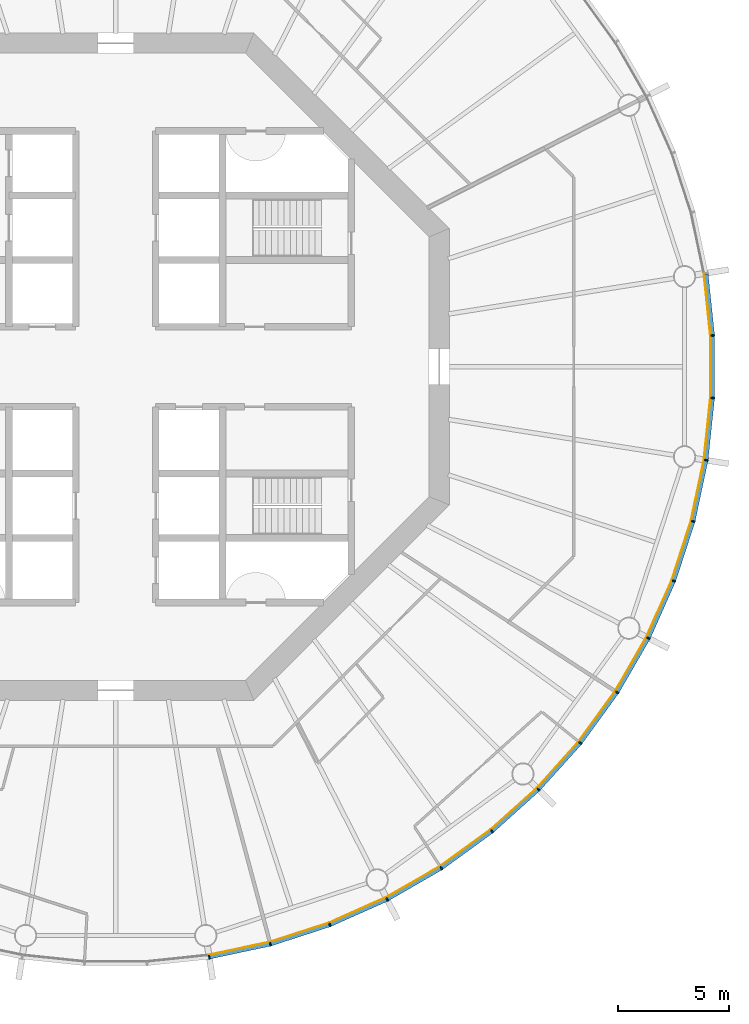
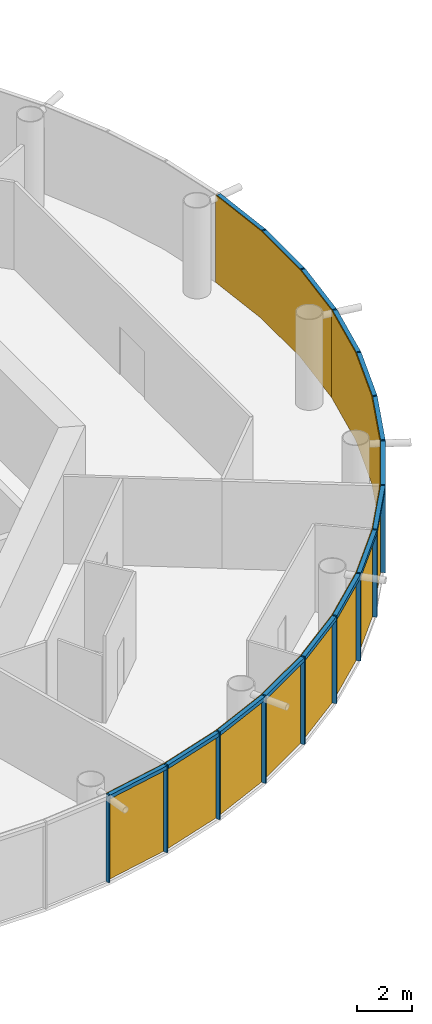
# One storey, part 9 of 13: 30 members, 5 curtain walls.
"""IFC4 building model written with IfcOpenShell, lengths in metres."""

from ifc_helpers import new_model, si_unit, direction, frame, origin, origin_2d, place, context, subcontext, project, spatial, polyline, rectangle, outline, extrude, material, layer, layer_set, material_profile, profile_set, type_object, element, aggregate, save


model = new_model("IFC4")

# Units and contexts
model_context = context("Model", 3, precision=1e-05, world=origin(), true_north=direction((0.0, 1.0)))
body_context = subcontext(model_context, "Body", "Model", "MODEL_VIEW")
ifc_project = project(units=[si_unit("LENGTHUNIT", "METRE"), si_unit("AREAUNIT", "SQUARE_METRE"), si_unit("VOLUMEUNIT", "CUBIC_METRE"), si_unit("PLANEANGLEUNIT", "RADIAN"), si_unit("MASSUNIT", "GRAM", prefix="KILO")], contexts=[model_context])

# Member
ifc_material_1 = material(Name="Anodised aluminium", Category="aluminium")
ifc_material_profile_1 = material_profile(ifc_material_1, rectangle(XDim=0.06005859375, YDim=0.169921875, at=origin_2d()), Name="Mullion 60 x 170 mm anodised aluminium")
ifc_profile_set_1 = profile_set([ifc_material_profile_1], Name="Anodised aluminium")
member_type_1 = type_object("IfcMemberType", Name="Mullion 60 x 170 mm anodised aluminium", PredefinedType="MULLION", material=ifc_profile_set_1)
site_placement = place(None, origin())
building_placement = place(site_placement, origin())
storey_placement = place(building_placement, frame((0.0, 0.0, 226.0)))
member_1_placement = place(storey_placement, frame((94.205810546875, 53.446044921875, 0.0), z_axis=(0.0, 0.0, 1.0), x_axis=(0.987688340595, 0.15643446504, 0.0)))
member_1 = element("IfcMember", 1, at=member_1_placement, type_object=member_type_1, Name="MULLION L52-45", PredefinedType="MULLION", context=body_context, shape_type="SweptSolid", body=[
    extrude(rectangle(XDim=0.06005859375, YDim=0.169921875, at=origin_2d()), origin(), (0.0, 0.0, 1.0), 3.85009765625),
])

member_2_placement = place(storey_placement, frame((96.958251953125, 54.031005859375, 0.0), z_axis=(0.0, 0.0, 1.0), x_axis=(0.965925826289, 0.258819045103, 0.0)))
member_2 = element("IfcMember", 2, at=member_2_placement, type_object=member_type_1, Name="MULLION L52-46", PredefinedType="MULLION", context=body_context, shape_type="SweptSolid", body=[
    extrude(rectangle(XDim=0.06005859375, YDim=0.169921875, at=origin_2d()), origin(), (0.0, 0.0, 1.0), 3.85009765625),
])

member_3_placement = place(storey_placement, frame((99.634765625, 54.900634765625, 0.0), z_axis=(0.0, 0.0, 1.0), x_axis=(0.933580426497, 0.358367949545, 0.0)))
member_3 = element("IfcMember", 3, at=member_3_placement, type_object=member_type_1, Name="MULLION L52-47", PredefinedType="MULLION", context=body_context, shape_type="SweptSolid", body=[
    extrude(rectangle(XDim=0.06005859375, YDim=0.169921875, at=origin_2d()), origin(), (0.0, 0.0, 1.0), 3.85009765625),
])

member_4_placement = place(storey_placement, frame((102.20556640625, 56.04541015625, 0.0), z_axis=(0.0, 0.0, 1.0), x_axis=(0.891006524188, 0.45399049974, 0.0)))
member_4 = element("IfcMember", 4, at=member_4_placement, type_object=member_type_1, Name="MULLION L52-48", PredefinedType="MULLION", context=body_context, shape_type="SweptSolid", body=[
    extrude(rectangle(XDim=0.06005859375, YDim=0.169921875, at=origin_2d()), origin(), (0.0, 0.0, 1.0), 3.85009765625),
])

member_5_placement = place(storey_placement, frame((104.642578125, 57.452392578125, 0.0), z_axis=(0.0, 0.0, 1.0), x_axis=(0.838670567945, 0.544639035015, 0.0)))
member_5 = element("IfcMember", 5, at=member_5_placement, type_object=member_type_1, Name="MULLION L52-49", PredefinedType="MULLION", context=body_context, shape_type="SweptSolid", body=[
    extrude(rectangle(XDim=0.06005859375, YDim=0.169921875, at=origin_2d()), origin(), (0.0, 0.0, 1.0), 3.85009765625),
])

member_6_placement = place(storey_placement, frame((106.919189453125, 59.1064453125, 0.0), z_axis=(0.0, 0.0, 1.0), x_axis=(0.777145961457, 0.62932039105, 0.0)))
member_6 = element("IfcMember", 6, at=member_6_placement, type_object=member_type_1, Name="MULLION L52-50", PredefinedType="MULLION", context=body_context, shape_type="SweptSolid", body=[
    extrude(rectangle(XDim=0.06005859375, YDim=0.169921875, at=origin_2d()), origin(), (0.0, 0.0, 1.0), 3.85009765625),
])

member_7_placement = place(storey_placement, frame((109.010498046875, 60.989501953125, 0.0), z_axis=(0.0, 0.0, 1.0), x_axis=(0.707106781187, 0.707106781187, 0.0)))
member_7 = element("IfcMember", 7, at=member_7_placement, type_object=member_type_1, Name="MULLION L52-51", PredefinedType="MULLION", context=body_context, shape_type="SweptSolid", body=[
    extrude(rectangle(XDim=0.06005859375, YDim=0.169921875, at=origin_2d()), origin(), (0.0, 0.0, 1.0), 3.85009765625),
])

member_8_placement = place(storey_placement, frame((110.8935546875, 63.080810546875, 0.0), z_axis=(0.0, 0.0, 1.0), x_axis=(0.62932039105, 0.777145961457, 0.0)))
member_8 = element("IfcMember", 8, at=member_8_placement, type_object=member_type_1, Name="MULLION L52-52", PredefinedType="MULLION", context=body_context, shape_type="SweptSolid", body=[
    extrude(rectangle(XDim=0.06005859375, YDim=0.169921875, at=origin_2d()), origin(), (0.0, 0.0, 1.0), 3.85009765625),
])

member_9_placement = place(storey_placement, frame((112.547607421875, 65.357421875, 0.0), z_axis=(0.0, 0.0, 1.0), x_axis=(0.544639035015, 0.838670567945, 0.0)))
member_9 = element("IfcMember", 9, at=member_9_placement, type_object=member_type_1, Name="MULLION L52-53", PredefinedType="MULLION", context=body_context, shape_type="SweptSolid", body=[
    extrude(rectangle(XDim=0.06005859375, YDim=0.169921875, at=origin_2d()), origin(), (0.0, 0.0, 1.0), 3.85009765625),
])

member_10_placement = place(storey_placement, frame((113.95458984375, 67.79443359375, 0.0), z_axis=(0.0, 0.0, 1.0), x_axis=(0.45399049974, 0.891006524188, 0.0)))
member_10 = element("IfcMember", 10, at=member_10_placement, type_object=member_type_1, Name="MULLION L52-54", PredefinedType="MULLION", context=body_context, shape_type="SweptSolid", body=[
    extrude(rectangle(XDim=0.06005859375, YDim=0.169921875, at=origin_2d()), origin(), (0.0, 0.0, 1.0), 3.85009765625),
])

member_11_placement = place(storey_placement, frame((115.099365234375, 70.365234375, 0.0), z_axis=(0.0, 0.0, 1.0), x_axis=(0.358367949545, 0.933580426497, 0.0)))
member_11 = element("IfcMember", 11, at=member_11_placement, type_object=member_type_1, Name="MULLION L52-55", PredefinedType="MULLION", context=body_context, shape_type="SweptSolid", body=[
    extrude(rectangle(XDim=0.06005859375, YDim=0.169921875, at=origin_2d()), origin(), (0.0, 0.0, 1.0), 3.85009765625),
])

member_12_placement = place(storey_placement, frame((115.968994140625, 73.041748046875, 0.0), z_axis=(0.0, 0.0, 1.0), x_axis=(0.258819045103, 0.965925826289, 0.0)))
member_12 = element("IfcMember", 12, at=member_12_placement, type_object=member_type_1, Name="MULLION L52-56", PredefinedType="MULLION", context=body_context, shape_type="SweptSolid", body=[
    extrude(rectangle(XDim=0.06005859375, YDim=0.169921875, at=origin_2d()), origin(), (0.0, 0.0, 1.0), 3.85009765625),
])

member_13_placement = place(storey_placement, frame((116.553955078125, 75.794189453125, 0.0), z_axis=(0.0, 0.0, 1.0), x_axis=(0.15643446504, 0.987688340595, 0.0)))
member_13 = element("IfcMember", 13, at=member_13_placement, type_object=member_type_1, Name="MULLION L52-57", PredefinedType="MULLION", context=body_context, shape_type="SweptSolid", body=[
    extrude(rectangle(XDim=0.06005859375, YDim=0.169921875, at=origin_2d()), origin(), (0.0, 0.0, 1.0), 3.85009765625),
])

member_14_placement = place(storey_placement, frame((116.84814453125, 78.593017578125, 0.0), z_axis=(0.0, 0.0, 1.0), x_axis=(0.052335956243, 0.998629534755, 0.0)))
member_14 = element("IfcMember", 14, at=member_14_placement, type_object=member_type_1, Name="MULLION L52-58", PredefinedType="MULLION", context=body_context, shape_type="SweptSolid", body=[
    extrude(rectangle(XDim=0.06005859375, YDim=0.169921875, at=origin_2d()), origin(), (0.0, 0.0, 1.0), 3.85009765625),
])

member_15_placement = place(storey_placement, frame((116.84814453125, 81.406982421875, 0.0), z_axis=(0.0, 0.0, 1.0), x_axis=(-0.052335956243, 0.998629534755, 0.0)))
member_15 = element("IfcMember", 15, at=member_15_placement, type_object=member_type_1, Name="MULLION L52-59", PredefinedType="MULLION", context=body_context, shape_type="SweptSolid", body=[
    extrude(rectangle(XDim=0.06005859375, YDim=0.169921875, at=origin_2d()), origin(), (0.0, 0.0, 1.0), 3.85009765625),
])

ifc_material_2 = material(Name="Anodised aluminium", Category="aluminium")
ifc_material_profile_2 = material_profile(ifc_material_2, rectangle(XDim=0.169921875, YDim=0.1650390625, at=origin_2d()), Name="Transom 165 x 170 mm anodised aluminium")
ifc_profile_set_2 = profile_set([ifc_material_profile_2], Name="Anodised aluminium")
member_type_2 = type_object("IfcMemberType", Name="Transom 165 x 170 mm anodised aluminium", PredefinedType="USERDEFINED", material=ifc_profile_set_2)
member_16_placement = place(storey_placement, frame((94.239501953125, 53.453125, 3.767578125), z_axis=(0.97814212115, 0.207937468562, 0.0), x_axis=(-0.207937468562, 0.97814212115, 0.0)))
member_16 = element("IfcMember", 16, at=member_16_placement, type_object=member_type_2, Name="TRANSOM L52-45", ObjectType="TRANSOM", PredefinedType="USERDEFINED", context=body_context, shape_type="SweptSolid", body=[
    extrude(rectangle(XDim=0.169921875, YDim=0.1650390625, at=origin_2d()), origin(), (0.0, 0.0, 1.0), 2.7451171875),
])

member_17_placement = place(storey_placement, frame((96.9912109375, 54.04150390625, 3.767578125), z_axis=(0.951048445774, 0.309041831781, 0.0), x_axis=(-0.309041831781, 0.951048445774, 0.0)))
member_17 = element("IfcMember", 17, at=member_17_placement, type_object=member_type_2, Name="TRANSOM L52-46", ObjectType="TRANSOM", PredefinedType="USERDEFINED", context=body_context, shape_type="SweptSolid", body=[
    extrude(rectangle(XDim=0.169921875, YDim=0.1650390625, at=origin_2d()), origin(), (0.0, 0.0, 1.0), 2.7451171875),
])

member_18_placement = place(storey_placement, frame((99.666259765625, 54.91455078125, 3.767578125), z_axis=(0.913525267704, 0.406781987391, 0.0), x_axis=(-0.406781987391, 0.913525267704, 0.0)))
member_18 = element("IfcMember", 18, at=member_18_placement, type_object=member_type_2, Name="TRANSOM L52-47", ObjectType="TRANSOM", PredefinedType="USERDEFINED", context=body_context, shape_type="SweptSolid", body=[
    extrude(rectangle(XDim=0.169921875, YDim=0.1650390625, at=origin_2d()), origin(), (0.0, 0.0, 1.0), 2.7451171875),
])

member_19_placement = place(storey_placement, frame((102.2353515625, 56.0625, 3.767578125), z_axis=(0.866034527326, 0.49998419723, 0.0), x_axis=(-0.49998419723, 0.866034527326, 0.0)))
member_19 = element("IfcMember", 19, at=member_19_placement, type_object=member_type_2, Name="TRANSOM L52-48", ObjectType="TRANSOM", PredefinedType="USERDEFINED", context=body_context, shape_type="SweptSolid", body=[
    extrude(rectangle(XDim=0.169921875, YDim=0.1650390625, at=origin_2d()), origin(), (0.0, 0.0, 1.0), 2.7451171875),
])

member_20_placement = place(storey_placement, frame((104.670654296875, 57.472412109375, 3.767578125), z_axis=(0.808959086484, 0.587864947412, 0.0), x_axis=(-0.587864947412, 0.808959086484, 0.0)))
member_20 = element("IfcMember", 20, at=member_20_placement, type_object=member_type_2, Name="TRANSOM L52-49", ObjectType="TRANSOM", PredefinedType="USERDEFINED", context=body_context, shape_type="SweptSolid", body=[
    extrude(rectangle(XDim=0.169921875, YDim=0.1650390625, at=origin_2d()), origin(), (0.0, 0.0, 1.0), 2.7451171875),
])

member_21_placement = place(storey_placement, frame((106.945068359375, 59.12939453125, 3.767578125), z_axis=(0.743134927907, 0.669141598561, 0.0), x_axis=(-0.669141598561, 0.743134927907, 0.0)))
member_21 = element("IfcMember", 21, at=member_21_placement, type_object=member_type_2, Name="TRANSOM L52-50", ObjectType="TRANSOM", PredefinedType="USERDEFINED", context=body_context, shape_type="SweptSolid", body=[
    extrude(rectangle(XDim=0.169921875, YDim=0.1650390625, at=origin_2d()), origin(), (0.0, 0.0, 1.0), 2.7451171875),
])

member_22_placement = place(storey_placement, frame((109.03369140625, 61.014892578125, 3.767578125), z_axis=(0.669141598561, 0.743134927907, 0.0), x_axis=(-0.743134927907, 0.669141598561, 0.0)))
member_22 = element("IfcMember", 22, at=member_22_placement, type_object=member_type_2, Name="TRANSOM L52-51", ObjectType="TRANSOM", PredefinedType="USERDEFINED", context=body_context, shape_type="SweptSolid", body=[
    extrude(rectangle(XDim=0.169921875, YDim=0.1650390625, at=origin_2d()), origin(), (0.0, 0.0, 1.0), 2.7451171875),
])

member_23_placement = place(storey_placement, frame((110.913818359375, 63.108642578125, 3.767578125), z_axis=(0.587864947412, 0.808959086484, 0.0), x_axis=(-0.808959086484, 0.587864947412, 0.0)))
member_23 = element("IfcMember", 23, at=member_23_placement, type_object=member_type_2, Name="TRANSOM L52-52", ObjectType="TRANSOM", PredefinedType="USERDEFINED", context=body_context, shape_type="SweptSolid", body=[
    extrude(rectangle(XDim=0.169921875, YDim=0.1650390625, at=origin_2d()), origin(), (0.0, 0.0, 1.0), 2.7451171875),
])

member_24_placement = place(storey_placement, frame((112.56494140625, 65.38720703125, 3.767578125), z_axis=(0.49998419723, 0.866034527326, 0.0), x_axis=(-0.866034527326, 0.49998419723, 0.0)))
member_24 = element("IfcMember", 24, at=member_24_placement, type_object=member_type_2, Name="TRANSOM L52-53", ObjectType="TRANSOM", PredefinedType="USERDEFINED", context=body_context, shape_type="SweptSolid", body=[
    extrude(rectangle(XDim=0.169921875, YDim=0.1650390625, at=origin_2d()), origin(), (0.0, 0.0, 1.0), 2.7451171875),
])

member_25_placement = place(storey_placement, frame((113.96875, 67.825927734375, 3.767578125), z_axis=(0.406781987391, 0.913525267704, 0.0), x_axis=(-0.913525267704, 0.406781987391, 0.0)))
member_25 = element("IfcMember", 25, at=member_25_placement, type_object=member_type_2, Name="TRANSOM L52-54", ObjectType="TRANSOM", PredefinedType="USERDEFINED", context=body_context, shape_type="SweptSolid", body=[
    extrude(rectangle(XDim=0.169921875, YDim=0.1650390625, at=origin_2d()), origin(), (0.0, 0.0, 1.0), 2.7451171875),
])

member_26_placement = place(storey_placement, frame((115.110107421875, 70.39794921875, 3.767578125), z_axis=(0.309041831781, 0.951048445774, 0.0), x_axis=(-0.951048445774, 0.309041831781, 0.0)))
member_26 = element("IfcMember", 26, at=member_26_placement, type_object=member_type_2, Name="TRANSOM L52-55", ObjectType="TRANSOM", PredefinedType="USERDEFINED", context=body_context, shape_type="SweptSolid", body=[
    extrude(rectangle(XDim=0.169921875, YDim=0.1650390625, at=origin_2d()), origin(), (0.0, 0.0, 1.0), 2.7451171875),
])

member_27_placement = place(storey_placement, frame((115.97607421875, 73.075439453125, 3.767578125), z_axis=(0.207937468562, 0.97814212115, 0.0), x_axis=(-0.97814212115, 0.207937468562, 0.0)))
member_27 = element("IfcMember", 27, at=member_27_placement, type_object=member_type_2, Name="TRANSOM L52-56", ObjectType="TRANSOM", PredefinedType="USERDEFINED", context=body_context, shape_type="SweptSolid", body=[
    extrude(rectangle(XDim=0.169921875, YDim=0.1650390625, at=origin_2d()), origin(), (0.0, 0.0, 1.0), 2.7451171875),
])

member_28_placement = place(storey_placement, frame((116.5576171875, 75.82861328125, 3.767578125), z_axis=(0.104592190102, 0.994515195344, 0.0), x_axis=(-0.994515195344, 0.104592190102, 0.0)))
member_28 = element("IfcMember", 28, at=member_28_placement, type_object=member_type_2, Name="TRANSOM L52-57", ObjectType="TRANSOM", PredefinedType="USERDEFINED", context=body_context, shape_type="SweptSolid", body=[
    extrude(rectangle(XDim=0.169921875, YDim=0.1650390625, at=origin_2d()), origin(), (0.0, 0.0, 1.0), 2.7451171875),
])

member_29_placement = place(storey_placement, frame((116.848388671875, 78.62744140625, 3.767578125), z_axis=(0.0, 1.0, 0.0), x_axis=(-1.0, 0.0, 0.0)))
member_29 = element("IfcMember", 29, at=member_29_placement, type_object=member_type_2, Name="TRANSOM L52-58", ObjectType="TRANSOM", PredefinedType="USERDEFINED", context=body_context, shape_type="SweptSolid", body=[
    extrude(rectangle(XDim=0.169921875, YDim=0.1650390625, at=origin_2d()), origin(), (0.0, 0.0, 1.0), 2.7451171875),
])

member_30_placement = place(storey_placement, frame((116.8447265625, 81.44140625, 3.767578125), z_axis=(-0.104592190102, 0.994515195344, 0.0), x_axis=(-0.994515195344, -0.104592190102, 0.0)))
member_30 = element("IfcMember", 30, at=member_30_placement, type_object=member_type_2, Name="TRANSOM L52-59", ObjectType="TRANSOM", PredefinedType="USERDEFINED", context=body_context, shape_type="SweptSolid", body=[
    extrude(rectangle(XDim=0.169921875, YDim=0.1650390625, at=origin_2d()), origin(), (0.0, 0.0, 1.0), 2.7451171875),
])

# Site, building, storey
site = spatial("IfcSite", under=ifc_project, at=site_placement, CompositionType="ELEMENT")
building = spatial("IfcBuilding", under=site, at=building_placement, Name="Entoto Ring Tower", CompositionType="ELEMENT")
storey = spatial("IfcBuildingStorey", under=building, at=storey_placement, Name="L52", CompositionType="ELEMENT", Elevation=226.0)

# Curtain wall
ifc_material_3 = material(Name="Clear low-iron glass", Category="glass")
ifc_layer = layer(ifc_material_3, 0.031982421875)
ifc_layer_set = layer_set([ifc_layer], Name="Clear low-iron glass")
curtain_wall_type = type_object("IfcCurtainWallType", Name="Curtain wall system CW4 glazing 32 mm", PredefinedType="NOTDEFINED", material=ifc_layer_set)
curtain_wall_1_placement = place(storey_placement, origin())
curtain_wall_1 = element("IfcCurtainWall", 31, at=curtain_wall_1_placement, inside=storey, type_object=curtain_wall_type, Name="CW4 L52-16", PredefinedType="NOTDEFINED", context=body_context, shape_type="SweptSolid", body=[
    extrude(outline(polyline([(94.1923828125, 53.530029296875), (96.936279296875, 54.11328125), (99.604248046875, 54.97998046875), (102.1669921875, 56.12109375), (102.15234375, 56.149658203125), (99.5927734375, 55.010009765625), (96.927978515625, 54.14404296875), (94.1875, 53.5615234375), (94.1923828125, 53.530029296875)])), origin(), (0.0, 0.0, 1.0), 3.85009765625),
])

aggregate(curtain_wall_1, [member_1, member_2, member_3, member_16, member_17, member_18])

curtain_wall_2_placement = place(storey_placement, origin())
curtain_wall_2 = element("IfcCurtainWall", 32, at=curtain_wall_2_placement, inside=storey, type_object=curtain_wall_type, Name="CW4 L52-17", PredefinedType="NOTDEFINED", context=body_context, shape_type="SweptSolid", body=[
    extrude(outline(polyline([(102.1669921875, 56.12109375), (104.596435546875, 57.523681640625), (106.86572265625, 59.172607421875), (108.950439453125, 61.049560546875), (108.927734375, 61.072265625), (106.845703125, 59.197509765625), (104.578857421875, 57.550537109375), (102.15234375, 56.149658203125), (102.1669921875, 56.12109375)])), origin(), (0.0, 0.0, 1.0), 3.85009765625),
])

aggregate(curtain_wall_2, [member_4, member_5, member_6, member_19, member_20, member_21])

curtain_wall_3_placement = place(storey_placement, origin())
curtain_wall_3 = element("IfcCurtainWall", 33, at=curtain_wall_3_placement, inside=storey, type_object=curtain_wall_type, Name="CW4 L52-18", PredefinedType="NOTDEFINED", context=body_context, shape_type="SweptSolid", body=[
    extrude(outline(polyline([(108.950439453125, 61.049560546875), (110.827392578125, 63.13427734375), (112.476318359375, 65.403564453125), (113.87890625, 67.8330078125), (113.850341796875, 67.84765625), (112.449462890625, 65.421142578125), (110.802490234375, 63.154296875), (108.927734375, 61.072265625), (108.950439453125, 61.049560546875)])), origin(), (0.0, 0.0, 1.0), 3.85009765625),
])

aggregate(curtain_wall_3, [member_7, member_8, member_9, member_22, member_23, member_24])

curtain_wall_4_placement = place(storey_placement, origin())
curtain_wall_4 = element("IfcCurtainWall", 34, at=curtain_wall_4_placement, inside=storey, type_object=curtain_wall_type, Name="CW4 L52-19", PredefinedType="NOTDEFINED", context=body_context, shape_type="SweptSolid", body=[
    extrude(outline(polyline([(113.87890625, 67.8330078125), (115.02001953125, 70.395751953125), (115.88671875, 73.063720703125), (116.469970703125, 75.8076171875), (116.4384765625, 75.8125), (115.85595703125, 73.072021484375), (114.989990234375, 70.4072265625), (113.850341796875, 67.84765625), (113.87890625, 67.8330078125)])), origin(), (0.0, 0.0, 1.0), 3.85009765625),
])

aggregate(curtain_wall_4, [member_10, member_11, member_12, member_25, member_26, member_27])

curtain_wall_5_placement = place(storey_placement, origin())
curtain_wall_5 = element("IfcCurtainWall", 35, at=curtain_wall_5_placement, inside=storey, type_object=curtain_wall_type, Name="CW4 L52-20", PredefinedType="NOTDEFINED", context=body_context, shape_type="SweptSolid", body=[
    extrude(outline(polyline([(116.469970703125, 75.8076171875), (116.76318359375, 78.597412109375), (116.76318359375, 81.402587890625), (116.469970703125, 84.1923828125), (116.4384765625, 84.1875), (116.731201171875, 81.40087890625), (116.731201171875, 78.59912109375), (116.4384765625, 75.8125), (116.469970703125, 75.8076171875)])), origin(), (0.0, 0.0, 1.0), 3.85009765625),
])

aggregate(curtain_wall_5, [member_13, member_14, member_15, member_28, member_29, member_30])

save(model, "model.ifc")
